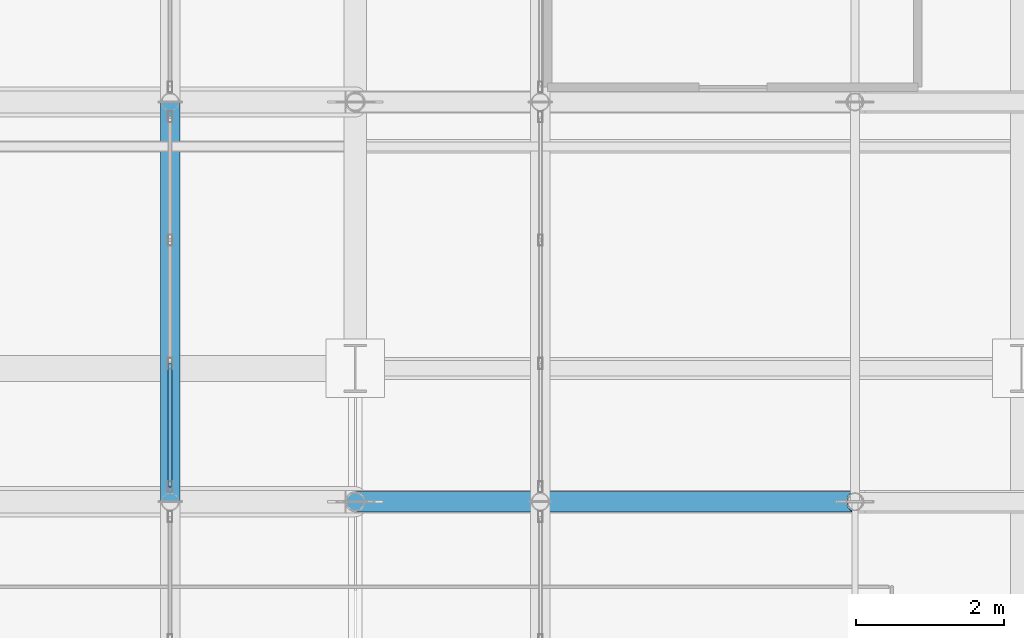
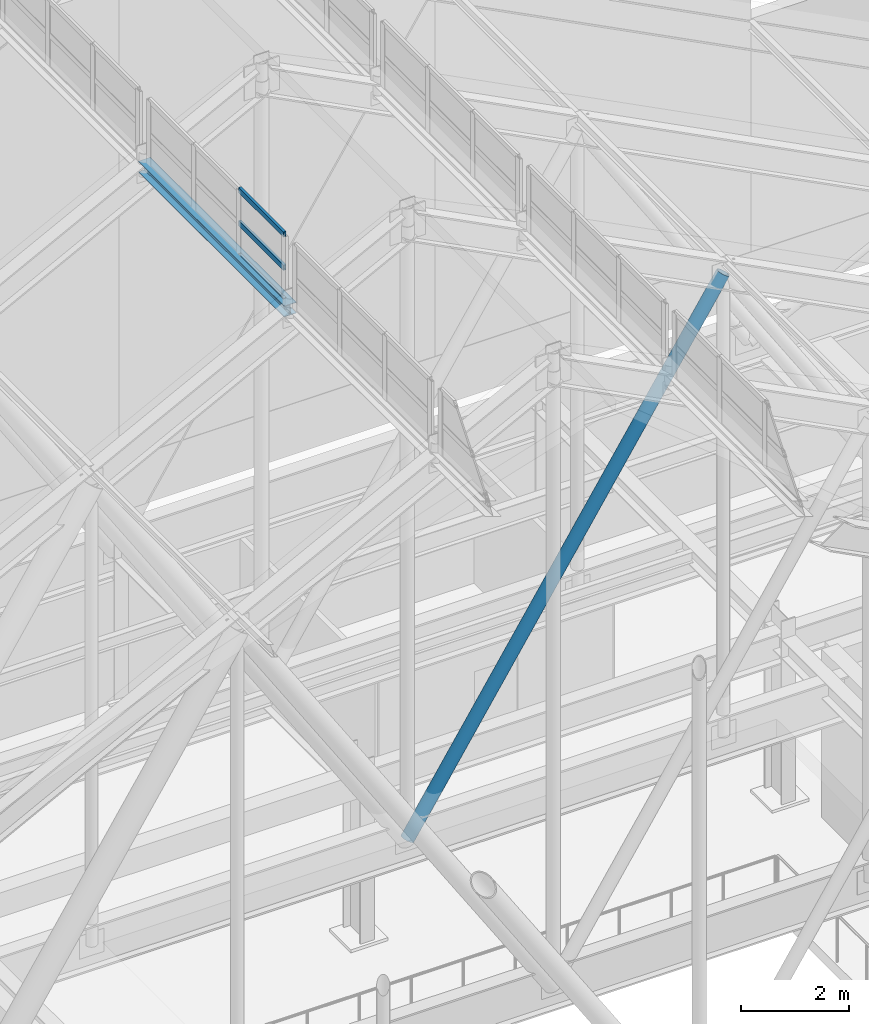
# One storey, part 51 of 84: 4 members, 1 beam, 1 element without a shape of its own.
"""IFC4 building model written with IfcOpenShell, lengths in metres."""

from ifc_helpers import new_model, si_unit, direction, frame, origin, origin_2d, place, context, subcontext, project, spatial, hollow_rectangle, hollow_circle, i_section, extrude, material, layer, layer_set, material_profile, profile_set, type_object, element, aggregate, save


model = new_model("IFC4")

# Units and contexts
model_context = context("Model", 3, precision=1e-05, world=origin(), true_north=direction((0.0, 1.0)))
body_context = subcontext(model_context, "Body", "Model", "MODEL_VIEW")
ifc_project = project(units=[si_unit("LENGTHUNIT", "METRE"), si_unit("AREAUNIT", "SQUARE_METRE"), si_unit("VOLUMEUNIT", "CUBIC_METRE"), si_unit("PLANEANGLEUNIT", "RADIAN"), si_unit("MASSUNIT", "GRAM", prefix="KILO")], contexts=[model_context])

# Site, building, storey
site_placement = place(None, origin())
site = spatial("IfcSite", under=ifc_project, at=site_placement, CompositionType="ELEMENT")
building_placement = place(site_placement, origin())
building = spatial("IfcBuilding", under=site, at=building_placement, Name="Sundgate Opera House", CompositionType="ELEMENT")
storey_placement = place(building_placement, frame((0.0, 0.0, 30.60009765625)))
storey = spatial("IfcBuildingStorey", under=building, at=storey_placement, Name="L06", CompositionType="ELEMENT", Elevation=30.60009765625)

# Beam
ifc_material_1 = material(Name="Steel S355J2", Category="steel")
ifc_material_profile_1 = material_profile(ifc_material_1, i_section(OverallWidth=0.260009765625, OverallDepth=0.25, WebThickness=0.007568359375, FlangeThickness=0.012451171875, at=origin_2d()), Name="HEA 260")
ifc_profile_set_1 = profile_set([ifc_material_profile_1], Name="Steel S355J2")
beam_type = type_object("IfcBeamType", Name="BM-LN-HEA260", PredefinedType="LINTEL", material=ifc_profile_set_1)
beam_placement = place(storey_placement, frame((51.5, 76.199951171875, 16.119873046875), z_axis=(0.0, 1.0, 0.0), x_axis=(-1.0, 0.0, 0.0)))
element("IfcBeam", 1, at=beam_placement, inside=storey, type_object=beam_type, Name="L06 Crown Clerestory Curb Beam BS038", PredefinedType="LINTEL", context=body_context, shape_type="SweptSolid", body=[
    extrude(i_section(OverallWidth=0.260009765625, OverallDepth=0.25, WebThickness=0.007568359375, FlangeThickness=0.012451171875, at=origin_2d()), origin(), (0.0, 0.0, 1.0), 5.400146484375),
])

# Curtain wall, members
ifc_material_2 = material(Name="Anodized aluminium and low-iron glass", Category="aluminium")
ifc_layer = layer(ifc_material_2, 0.169921875)
ifc_layer_set = layer_set([ifc_layer], Name="Anodized aluminium and low-iron glass")
curtain_wall_type = type_object("IfcCurtainWallType", Name="CW-LANTERN-POLY", PredefinedType="NOTDEFINED", material=ifc_layer_set)
curtain_wall_placement = place(storey_placement, origin())
curtain_wall = element("IfcCurtainWall", 2, at=curtain_wall_placement, inside=storey, type_object=curtain_wall_type, Name="L06 Curtain Wall CW185", PredefinedType="NOTDEFINED")
ifc_material_3 = material(Name="Anodized aluminium EN AW-6063", Category="aluminium")
ifc_material_profile_2 = material_profile(ifc_material_3, hollow_rectangle(XDim=0.054931640625, YDim=0.1201171875, WallThickness=0.00390625, at=origin_2d()), Name="CWT 120x55x4")
ifc_profile_set_2 = profile_set([ifc_material_profile_2], Name="Anodized aluminium EN AW-6063")
member_type_1 = type_object("IfcMemberType", Name="CWT-ALU-120x55", PredefinedType="USERDEFINED", material=ifc_profile_set_2)
member_1_placement = place(storey_placement, frame((51.5, 78.066650390625, 16.199951171875), z_axis=(0.0, -1.0, 0.0), x_axis=(1.0, 0.0, 0.0)))
member_1 = element("IfcMember", 3, at=member_1_placement, type_object=member_type_1, Name="CW185 Transom 7", ObjectType="TRANSOM", PredefinedType="USERDEFINED", context=body_context, shape_type="SweptSolid", body=[
    extrude(hollow_rectangle(XDim=0.054931640625, YDim=0.1201171875, WallThickness=0.00390625, at=origin_2d()), origin(), (0.0, 0.0, 1.0), 1.666748046875),
])
member_2_placement = place(storey_placement, frame((51.5, 78.066650390625, 16.949951171875), z_axis=(0.0, -1.0, 0.0), x_axis=(1.0, 0.0, 0.0)))
member_2 = element("IfcMember", 4, at=member_2_placement, type_object=member_type_1, Name="CW185 Transom 8", ObjectType="TRANSOM", PredefinedType="USERDEFINED", context=body_context, shape_type="SweptSolid", body=[
    extrude(hollow_rectangle(XDim=0.054931640625, YDim=0.1201171875, WallThickness=0.00390625, at=origin_2d()), origin(), (0.0, 0.0, 1.0), 1.666748046875),
])
member_3_placement = place(storey_placement, frame((51.5, 78.066650390625, 17.699951171875), z_axis=(0.0, -1.0, 0.0), x_axis=(1.0, 0.0, 0.0)))
member_3 = element("IfcMember", 5, at=member_3_placement, type_object=member_type_1, Name="CW185 Transom 9", ObjectType="TRANSOM", PredefinedType="USERDEFINED", context=body_context, shape_type="SweptSolid", body=[
    extrude(hollow_rectangle(XDim=0.054931640625, YDim=0.1201171875, WallThickness=0.00390625, at=origin_2d()), origin(), (0.0, 0.0, 1.0), 1.666748046875),
])
aggregate(curtain_wall, [member_1, member_2, member_3])

# Member
ifc_material_4 = material(Name="Steel S355J2", Category="steel")
ifc_material_profile_3 = material_profile(ifc_material_4, hollow_circle(Radius=0.136474609375, WallThickness=0.01611328125, at=origin_2d()), Name="CHS 273.0x16.0")
ifc_profile_set_3 = profile_set([ifc_material_profile_3], Name="Steel S355J2")
member_type_2 = type_object("IfcMemberType", Name="MB-STRUT-CHS273", PredefinedType="STRUT", material=ifc_profile_set_3)
member_4_placement = place(storey_placement, frame((54.0, 76.199951171875, 3.289794921875), z_axis=(0.543221949913, 0.0, 0.839589133525), x_axis=(0.0, 1.0, 0.0)))
element("IfcMember", 6, at=member_4_placement, inside=storey, type_object=member_type_2, Name="L06 Fly-Tower Warren Web Strut M0184", PredefinedType="STRUT", context=body_context, shape_type="SweptSolid", body=[
    extrude(hollow_circle(Radius=0.136474609375, WallThickness=0.01611328125, at=origin_2d()), origin(), (0.0, 0.0, 1.0), 12.42578125),
])

save(model, "model.ifc")
